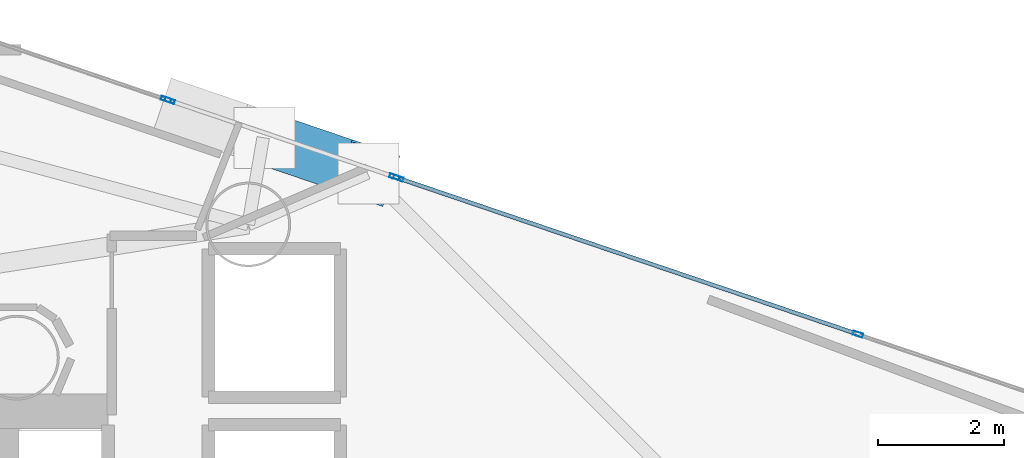
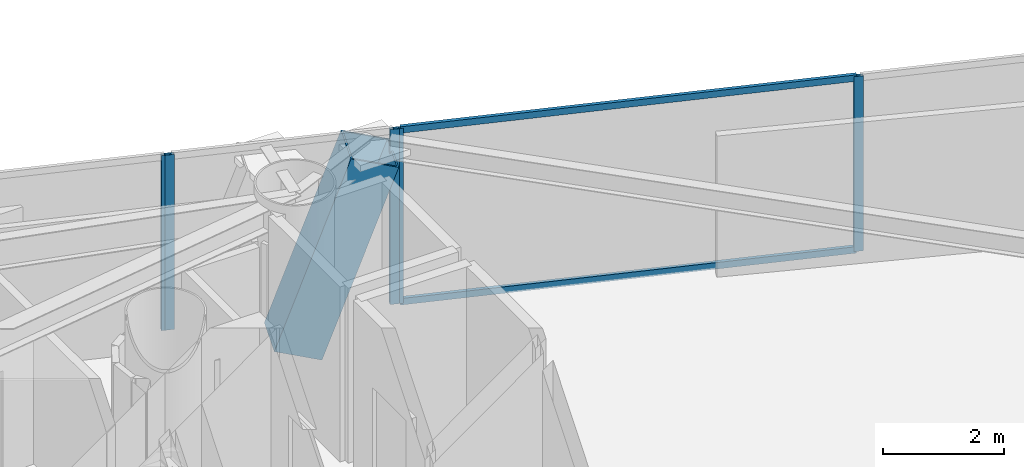
# One storey, part 14 of 22: 8 members, 3 elements without a shape of their own.
"""IFC4 building model written with IfcOpenShell, lengths in metres."""

from ifc_helpers import new_model, si_unit, direction, frame, origin, origin_2d, place, context, subcontext, project, spatial, hollow_rectangle, extrude, material, layer, layer_set, material_profile, profile_set, type_object, element, aggregate, save


model = new_model("IFC4")

# Units and contexts
model_context = context("Model", 3, precision=1e-05, world=origin(), true_north=direction((0.0, 1.0)))
body_context = subcontext(model_context, "Body", "Model", "MODEL_VIEW")
ifc_project = project(units=[si_unit("LENGTHUNIT", "METRE"), si_unit("AREAUNIT", "SQUARE_METRE"), si_unit("VOLUMEUNIT", "CUBIC_METRE"), si_unit("PLANEANGLEUNIT", "RADIAN"), si_unit("MASSUNIT", "GRAM", prefix="KILO")], contexts=[model_context])

# Site, building, storey
site_placement = place(None, origin())
site = spatial("IfcSite", under=ifc_project, at=site_placement, CompositionType="ELEMENT")
building_placement = place(site_placement, origin())
building = spatial("IfcBuilding", under=site, at=building_placement, Name="Qianvela Tower", CompositionType="ELEMENT")
storey_placement = place(building_placement, frame((0.0, 0.0, 169.800048828125)))
storey = spatial("IfcBuildingStorey", under=building, at=storey_placement, Name="L43", CompositionType="ELEMENT", Elevation=169.800048828125)

# Curtain wall, members
ifc_material_1 = material(Name="Anodised Architectural Aluminium and Insulated Spandrel Panel", Category="aluminium")
ifc_layer_1 = layer(ifc_material_1, 0.179931640625)
ifc_layer_set_1 = layer_set([ifc_layer_1], Name="Anodised Architectural Aluminium and Insulated Spandrel Panel")
curtain_wall_type_1 = type_object("IfcCurtainWallType", Name="CW-BRACEBAY", PredefinedType="USERDEFINED", material=ifc_layer_set_1)
curtain_wall_1_placement = place(storey_placement, origin())
curtain_wall_1 = element("IfcCurtainWall", 1, at=curtain_wall_1_placement, inside=storey, type_object=curtain_wall_type_1, Name="L43 CW-BRACEBAY Curtain Wall 02B", ObjectType="CURTAIN_WALL_SYSTEM", PredefinedType="USERDEFINED")
ifc_material_2 = material(Name="Anodised Architectural Aluminium 6063-T6", Category="aluminium")
ifc_material_profile_1 = material_profile(ifc_material_2, hollow_rectangle(XDim=0.06494140625, YDim=0.159912109375, WallThickness=0.0048828125, at=origin_2d()), Name="ALU-MULL-65x160")
ifc_profile_set_1 = profile_set([ifc_material_profile_1], Name="Anodised Architectural Aluminium 6063-T6")
member_type_1 = type_object("IfcMemberType", Name="CW-BRACEBAY-MULL", PredefinedType="MULLION", material=ifc_profile_set_1)
member_1_placement = place(storey_placement, frame((44.409423828125, 36.427001953125, 0.0), z_axis=(0.0, 0.0, 1.0), x_axis=(-0.321480661196, -0.946916144374, 0.0)))
member_1 = element("IfcMember", 2, at=member_1_placement, type_object=member_type_1, Name="CW-9 mullion 1", PredefinedType="MULLION", context=body_context, shape_type="SweptSolid", body=[
    extrude(hollow_rectangle(XDim=0.06494140625, YDim=0.159912109375, WallThickness=0.0048828125, at=origin_2d()), origin(), (0.0, 0.0, 1.0), 3.52001953125),
])
member_2_placement = place(storey_placement, frame((40.834716796875, 37.640625, 0.0), z_axis=(0.0, 0.0, 1.0), x_axis=(-0.321480661196, -0.946916144374, 0.0)))
member_2 = element("IfcMember", 3, at=member_2_placement, type_object=member_type_1, Name="CW-9 mullion 2", PredefinedType="MULLION", context=body_context, shape_type="SweptSolid", body=[
    extrude(hollow_rectangle(XDim=0.06494140625, YDim=0.159912109375, WallThickness=0.0048828125, at=origin_2d()), origin(), (0.0, 0.0, 1.0), 3.52001953125),
])
aggregate(curtain_wall_1, [member_1, member_2])

ifc_material_3 = material(Name="Anodised Architectural Aluminium and Low-E Glass", Category="aluminium")
ifc_layer_2 = layer(ifc_material_3, 0.169921875)
ifc_layer_set_2 = layer_set([ifc_layer_2], Name="Anodised Architectural Aluminium and Low-E Glass")
curtain_wall_type_2 = type_object("IfcCurtainWallType", Name="CW-COLIV-Z34", PredefinedType="USERDEFINED", material=ifc_layer_set_2)
curtain_wall_2_placement = place(storey_placement, origin())
curtain_wall_2 = element("IfcCurtainWall", 4, at=curtain_wall_2_placement, inside=storey, type_object=curtain_wall_type_2, Name="L43 CW-COLIV-Z34 Curtain Wall 02A", ObjectType="CURTAIN_WALL_SYSTEM", PredefinedType="USERDEFINED")
ifc_material_4 = material(Name="Anodised Architectural Aluminium 6063-T6", Category="aluminium")
ifc_material_profile_2 = material_profile(ifc_material_4, hollow_rectangle(XDim=0.06494140625, YDim=0.159912109375, WallThickness=0.0048828125, at=origin_2d()), Name="ALU-MULL-65x160")
ifc_profile_set_2 = profile_set([ifc_material_profile_2], Name="Anodised Architectural Aluminium 6063-T6")
member_type_2 = type_object("IfcMemberType", Name="CW-COLIV-Z34-MULL", PredefinedType="MULLION", material=ifc_profile_set_2)
member_3_placement = place(storey_placement, frame((51.788330078125, 33.921875, 0.0), z_axis=(0.0, 0.0, 1.0), x_axis=(-0.321488358379, -0.946913531124, 0.0)))
member_3 = element("IfcMember", 5, at=member_3_placement, type_object=member_type_2, Name="CW-4 mullion 2", PredefinedType="MULLION", context=body_context, shape_type="SweptSolid", body=[
    extrude(hollow_rectangle(XDim=0.06494140625, YDim=0.159912109375, WallThickness=0.0048828125, at=origin_2d()), origin(), (0.0, 0.0, 1.0), 3.52001953125),
])
member_4_placement = place(storey_placement, frame((44.470947265625, 36.40625, 0.0), z_axis=(0.0, 0.0, 1.0), x_axis=(-0.321488358379, -0.946913531124, 0.0)))
member_4 = element("IfcMember", 6, at=member_4_placement, type_object=member_type_2, Name="CW-4 mullion 3", PredefinedType="MULLION", context=body_context, shape_type="SweptSolid", body=[
    extrude(hollow_rectangle(XDim=0.06494140625, YDim=0.159912109375, WallThickness=0.0048828125, at=origin_2d()), origin(), (0.0, 0.0, 1.0), 3.52001953125),
])

# Curtain wall, member
curtain_wall_3_placement = place(storey_placement, origin())
curtain_wall_3 = element("IfcCurtainWall", 7, at=curtain_wall_3_placement, inside=storey, type_object=curtain_wall_type_2, Name="L43 CW-COLIV-Z34 Curtain Wall 02C", ObjectType="CURTAIN_WALL_SYSTEM", PredefinedType="USERDEFINED")
member_5_placement = place(storey_placement, frame((40.773193359375, 37.66162109375, 0.0), z_axis=(0.0, 0.0, 1.0), x_axis=(-0.321484175751, -0.946914951166, 0.0)))
member_5 = element("IfcMember", 8, at=member_5_placement, type_object=member_type_2, Name="CW-4 mullion 1", PredefinedType="MULLION", context=body_context, shape_type="SweptSolid", body=[
    extrude(hollow_rectangle(XDim=0.06494140625, YDim=0.159912109375, WallThickness=0.0048828125, at=origin_2d()), origin(), (0.0, 0.0, 1.0), 3.52001953125),
])
aggregate(curtain_wall_3, [member_5])

# Member
ifc_material_5 = material(Name="Anodised Architectural Aluminium 6063-T6", Category="aluminium")
ifc_material_profile_3 = material_profile(ifc_material_5, hollow_rectangle(XDim=0.06494140625, YDim=0.1298828125, WallThickness=0.00439453125, at=origin_2d()), Name="ALU-TRAN-65x130")
ifc_profile_set_3 = profile_set([ifc_material_profile_3], Name="Anodised Architectural Aluminium 6063-T6")
member_type_3 = type_object("IfcMemberType", Name="CW-COLIV-Z34-TRAN", PredefinedType="USERDEFINED", material=ifc_profile_set_3)
member_6_placement = place(storey_placement, frame((51.757568359375, 33.932373046875, 0.032470703125), z_axis=(-0.946916363099, 0.321480016947, 0.0), x_axis=(-0.321480016947, -0.946916363099, 0.0)))
member_6 = element("IfcMember", 9, at=member_6_placement, type_object=member_type_3, Name="CW-4 transom 2.1", ObjectType="TRANSOM", PredefinedType="USERDEFINED", context=body_context, shape_type="SweptSolid", body=[
    extrude(hollow_rectangle(XDim=0.06494140625, YDim=0.1298828125, WallThickness=0.00439453125, at=origin_2d()), origin(), (0.0, 0.0, 1.0), 7.66259765625),
])

member_7_placement = place(storey_placement, frame((51.757568359375, 33.932373046875, 3.487548828125), z_axis=(-0.946916363099, 0.321480016947, 0.0), x_axis=(-0.321480016947, -0.946916363099, 0.0)))
member_7 = element("IfcMember", 10, at=member_7_placement, type_object=member_type_3, Name="CW-4 transom 2.2", ObjectType="TRANSOM", PredefinedType="USERDEFINED", context=body_context, shape_type="SweptSolid", body=[
    extrude(hollow_rectangle(XDim=0.06494140625, YDim=0.1298828125, WallThickness=0.00439453125, at=origin_2d()), origin(), (0.0, 0.0, 1.0), 7.66259765625),
])

aggregate(curtain_wall_2, [member_3, member_4, member_6, member_7])

ifc_material_6 = material(Name="Steel Q420GJC", Category="steel")
ifc_material_profile_4 = material_profile(ifc_material_6, hollow_rectangle(XDim=0.85009765625, YDim=0.85009765625, WallThickness=0.031982421875, at=origin_2d()), Name="MBOX-850x850x32")
ifc_profile_set_4 = profile_set([ifc_material_profile_4], Name="Steel Q420GJC")
member_type_4 = type_object("IfcMemberType", Name="MBR-MBRACE-850", PredefinedType="BRACE", material=ifc_profile_set_4)
member_8_placement = place(storey_placement, frame((42.75927734375, 36.90283203125, -0.48193359375), z_axis=(0.311497592988, -0.105805743728, 0.944338071962), x_axis=(0.321620876706, 0.946868529241, 0.0)))
element("IfcMember", 11, at=member_8_placement, inside=storey, type_object=member_type_4, Name="L43 Tier 7 Exterior Mega-Brace F1A", PredefinedType="BRACE", context=body_context, shape_type="SweptSolid", body=[
    extrude(hollow_rectangle(XDim=0.85009765625, YDim=0.85009765625, WallThickness=0.031982421875, at=origin_2d()), origin(), (0.0, 0.0, 1.0), 3.91796875),
])

save(model, "model.ifc")
